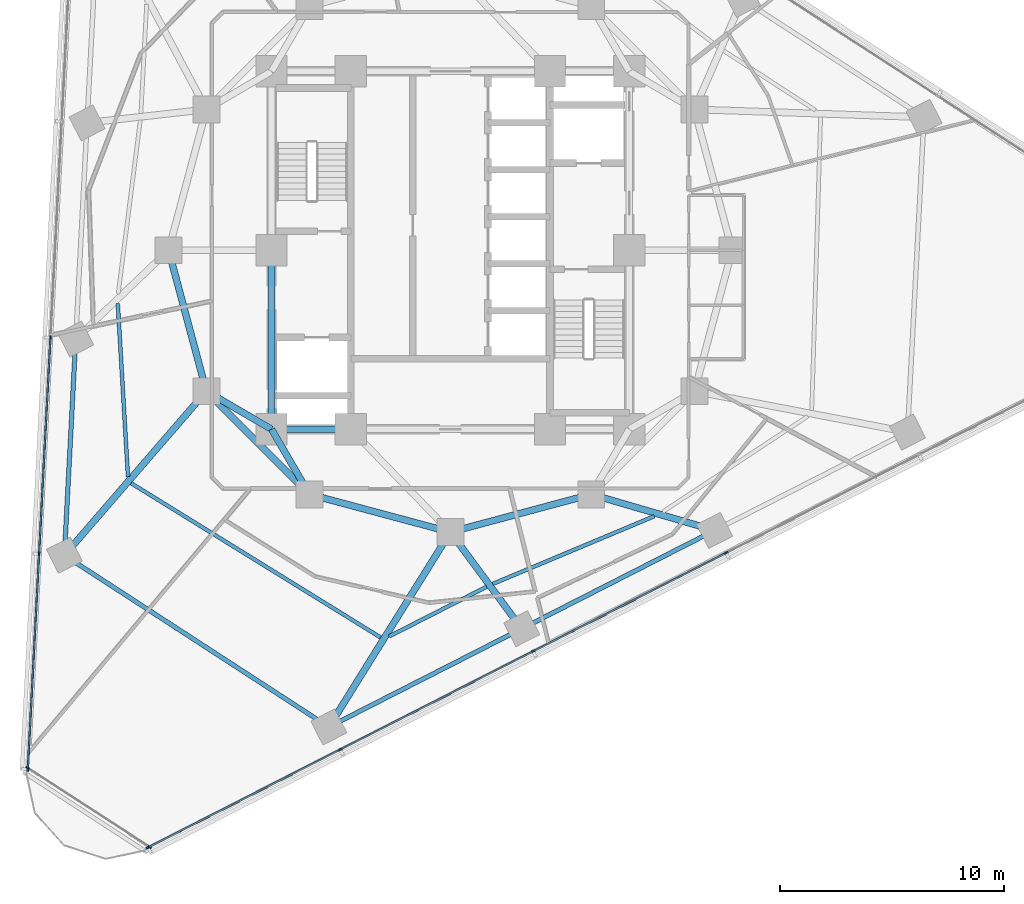
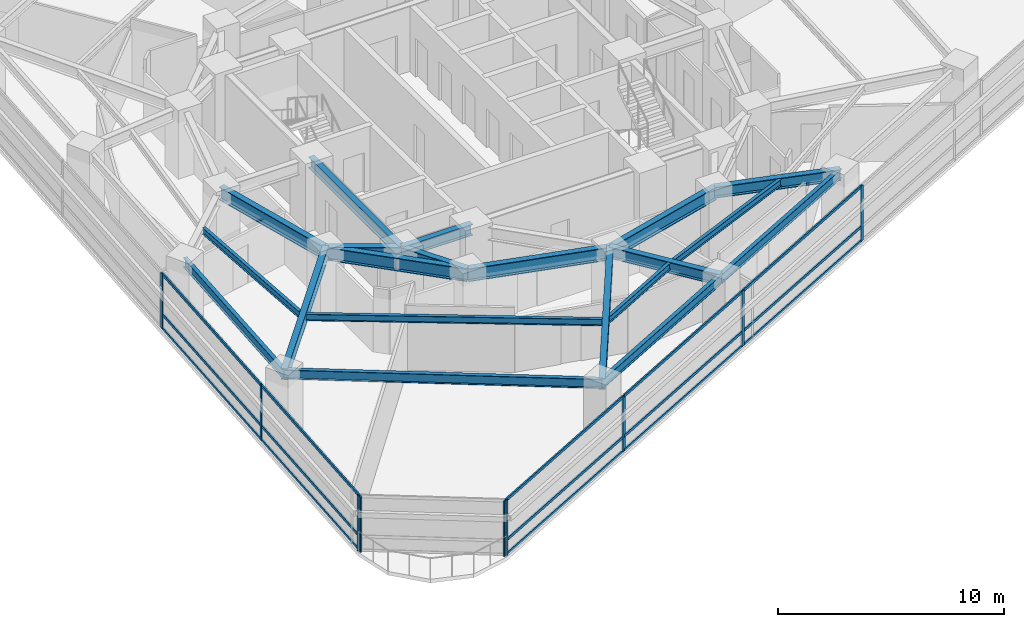
# One storey, part 2 of 14: 24 members, 20 beams, 3 elements without a shape of their own.
"""IFC4 building model written with IfcOpenShell, lengths in metres."""

from ifc_helpers import new_model, si_unit, direction, frame, origin, origin_2d, place, context, subcontext, project, spatial, rectangle, i_section, extrude, material, layer, layer_set, material_profile, profile_set, type_object, element, aggregate, save


model = new_model("IFC4")

# Units and contexts
model_context = context("Model", 3, precision=1e-05, world=origin(), true_north=direction((0.0, 1.0)))
body_context = subcontext(model_context, "Body", "Model", "MODEL_VIEW")
ifc_project = project(units=[si_unit("LENGTHUNIT", "METRE"), si_unit("AREAUNIT", "SQUARE_METRE"), si_unit("VOLUMEUNIT", "CUBIC_METRE"), si_unit("PLANEANGLEUNIT", "RADIAN"), si_unit("MASSUNIT", "GRAM", prefix="KILO")], contexts=[model_context])

# Site, building, storey
site_placement = place(None, origin())
site = spatial("IfcSite", under=ifc_project, at=site_placement, CompositionType="ELEMENT")
building_placement = place(site_placement, origin())
building = spatial("IfcBuilding", under=site, at=building_placement, Name="Terralouvre Media Tower", CompositionType="ELEMENT")
storey_placement = place(building_placement, frame((0.0, 0.0, 119.89990234375)))
storey = spatial("IfcBuildingStorey", under=building, at=storey_placement, Name="L30", CompositionType="ELEMENT", Elevation=119.89990234375)

# Beams
ifc_material_1 = material(Name="Structural steel S355J2", Category="steel")
ifc_material_profile_1 = material_profile(ifc_material_1, i_section(OverallWidth=0.169921875, OverallDepth=0.360107421875, WebThickness=0.008056640625, FlangeThickness=0.0126953125, at=origin_2d()), Name="IPE 360")
ifc_profile_set_1 = profile_set([ifc_material_profile_1], Name="Structural steel S355J2")
beam_type_1 = type_object("IfcBeamType", Name="Composite Floor Joist J-IPE360 (IPE 360)", PredefinedType="JOIST", material=ifc_profile_set_1)
beam_1_placement = place(storey_placement, frame((-14.872314453125, -2.377197265625, 3.320068359375), z_axis=(0.058878824525, -0.998265137137, 0.0), x_axis=(0.998265137137, 0.058878824525, 0.0)))
element("IfcBeam", 1, at=beam_1_placement, inside=storey, type_object=beam_type_1, Name="L30 Framing Beam JT-L30-01", PredefinedType="JOIST", context=body_context, shape_type="SweptSolid", body=[
    extrude(i_section(OverallWidth=0.169921875, OverallDepth=0.360107421875, WebThickness=0.008056640625, FlangeThickness=0.0126953125, at=origin_2d()), origin(), (0.0, 0.0, 1.0), 7.758056640625),
])
beam_2_placement = place(storey_placement, frame((-14.275390625, -10.413330078125, 3.320068359375), z_axis=(0.850512534705, -0.525954777818, 0.0), x_axis=(0.525954777818, 0.850512534705, 0.0)))
element("IfcBeam", 2, at=beam_2_placement, inside=storey, type_object=beam_type_1, Name="L30 Framing Beam JT-L30-02", PredefinedType="JOIST", context=body_context, shape_type="SweptSolid", body=[
    extrude(i_section(OverallWidth=0.169921875, OverallDepth=0.360107421875, WebThickness=0.008056640625, FlangeThickness=0.0126953125, at=origin_2d()), origin(), (0.0, 0.0, 1.0), 13.118896484375),
])
beam_3_placement = place(storey_placement, frame((-2.732666015625, -17.260986328125, 3.320068359375), z_axis=(0.891002879415, 0.453997652939, 0.0), x_axis=(-0.453997652939, 0.891002879415, 0.0)))
element("IfcBeam", 3, at=beam_3_placement, inside=storey, type_object=beam_type_1, Name="L30 Framing Beam JT-L30-03", PredefinedType="JOIST", context=body_context, shape_type="SweptSolid", body=[
    extrude(i_section(OverallWidth=0.169921875, OverallDepth=0.360107421875, WebThickness=0.008056640625, FlangeThickness=0.0126953125, at=origin_2d()), origin(), (0.0, 0.0, 1.0), 4.885009765625),
])
beam_4_placement = place(storey_placement, frame((1.89404296875, -14.916259765625, 3.320068359375), z_axis=(0.922254640504, 0.386582951085, 0.0), x_axis=(-0.386582951085, 0.922254640504, 0.0)))
element("IfcBeam", 4, at=beam_4_placement, inside=storey, type_object=beam_type_1, Name="L30 Framing Beam JT-L30-04", PredefinedType="JOIST", context=body_context, shape_type="SweptSolid", body=[
    extrude(i_section(OverallWidth=0.169921875, OverallDepth=0.360107421875, WebThickness=0.008056640625, FlangeThickness=0.0126953125, at=origin_2d()), origin(), (0.0, 0.0, 1.0), 7.8291015625),
])

# Curtain wall, members
ifc_material_2 = material(Name="Low-iron laminated double glazing with solar-control coating", Category="glass")
ifc_layer_1 = layer(ifc_material_2, 0.1650390625, Name="Production Studio Tower Curtain Wall CW-03")
ifc_layer_set_1 = layer_set([ifc_layer_1], Name="Low-iron laminated double glazing with solar-control coating")
curtain_wall_type_1 = type_object("IfcCurtainWallType", Name="Production Studio Tower Curtain Wall CW-03", PredefinedType="NOTDEFINED", material=ifc_layer_set_1)
curtain_wall_1_placement = place(storey_placement, origin())
curtain_wall_1 = element("IfcCurtainWall", 5, at=curtain_wall_1_placement, inside=storey, type_object=curtain_wall_type_1, Name="L30 Facade Curtain Wall F0", PredefinedType="NOTDEFINED")
ifc_material_3 = material(Name="Anodised extruded aluminium 6063-T6", Category="aluminium")
ifc_material_profile_2 = material_profile(ifc_material_3, rectangle(XDim=0.074951171875, YDim=0.14990234375, at=origin_2d()), Name="ALU 75x150")
ifc_profile_set_2 = profile_set([ifc_material_profile_2], Name="Anodised extruded aluminium 6063-T6")
member_type_1 = type_object("IfcMemberType", Name="Curtain-Wall Horizontal Transom TR-150", PredefinedType="USERDEFINED", material=ifc_profile_set_2)
member_1_placement = place(storey_placement, frame((-13.481689453125, -26.680419921875, 0.03759765625), z_axis=(0.891007557644, 0.453988471462, 0.0), x_axis=(-0.453988471462, 0.891007557644, 0.0)))
member_1 = element("IfcMember", 6, at=member_1_placement, type_object=member_type_1, Name="CW-03 transom 1.1", ObjectType="TRANSOM", PredefinedType="USERDEFINED", context=body_context, shape_type="SweptSolid", body=[
    extrude(rectangle(XDim=0.074951171875, YDim=0.14990234375, at=origin_2d()), origin(), (0.0, 0.0, 1.0), 9.5673828125),
])
member_2_placement = place(storey_placement, frame((-13.481689453125, -26.680419921875, 0.800048828125), z_axis=(0.891007557644, 0.453988471462, 0.0), x_axis=(-0.453988471462, 0.891007557644, 0.0)))
member_2 = element("IfcMember", 7, at=member_2_placement, type_object=member_type_1, Name="CW-03 transom 1.2", ObjectType="TRANSOM", PredefinedType="USERDEFINED", context=body_context, shape_type="SweptSolid", body=[
    extrude(rectangle(XDim=0.074951171875, YDim=0.14990234375, at=origin_2d()), origin(), (0.0, 0.0, 1.0), 9.5673828125),
])
member_3_placement = place(storey_placement, frame((-13.481689453125, -26.680419921875, 2.962646484375), z_axis=(0.891007557644, 0.453988471462, 0.0), x_axis=(-0.453988471462, 0.891007557644, 0.0)))
member_3 = element("IfcMember", 8, at=member_3_placement, type_object=member_type_1, Name="CW-03 transom 1.3", ObjectType="TRANSOM", PredefinedType="USERDEFINED", context=body_context, shape_type="SweptSolid", body=[
    extrude(rectangle(XDim=0.074951171875, YDim=0.14990234375, at=origin_2d()), origin(), (0.0, 0.0, 1.0), 9.5673828125),
])
member_4_placement = place(storey_placement, frame((-4.89013671875, -22.302978515625, 0.03759765625), z_axis=(0.891005548508, 0.453992414615, 0.0), x_axis=(-0.453992414615, 0.891005548508, 0.0)))
member_4 = element("IfcMember", 9, at=member_4_placement, type_object=member_type_1, Name="CW-03 transom 2.1", ObjectType="TRANSOM", PredefinedType="USERDEFINED", context=body_context, shape_type="SweptSolid", body=[
    extrude(rectangle(XDim=0.074951171875, YDim=0.14990234375, at=origin_2d()), origin(), (0.0, 0.0, 1.0), 9.60498046875),
])
member_5_placement = place(storey_placement, frame((-4.89013671875, -22.302978515625, 0.800048828125), z_axis=(0.891005548508, 0.453992414615, 0.0), x_axis=(-0.453992414615, 0.891005548508, 0.0)))
member_5 = element("IfcMember", 10, at=member_5_placement, type_object=member_type_1, Name="CW-03 transom 2.2", ObjectType="TRANSOM", PredefinedType="USERDEFINED", context=body_context, shape_type="SweptSolid", body=[
    extrude(rectangle(XDim=0.074951171875, YDim=0.14990234375, at=origin_2d()), origin(), (0.0, 0.0, 1.0), 9.60498046875),
])
member_6_placement = place(storey_placement, frame((-4.89013671875, -22.302978515625, 2.962646484375), z_axis=(0.891005548508, 0.453992414615, 0.0), x_axis=(-0.453992414615, 0.891005548508, 0.0)))
member_6 = element("IfcMember", 11, at=member_6_placement, type_object=member_type_1, Name="CW-03 transom 2.3", ObjectType="TRANSOM", PredefinedType="USERDEFINED", context=body_context, shape_type="SweptSolid", body=[
    extrude(rectangle(XDim=0.074951171875, YDim=0.14990234375, at=origin_2d()), origin(), (0.0, 0.0, 1.0), 9.60498046875),
])
member_7_placement = place(storey_placement, frame((3.734619140625, -17.908203125, 0.03759765625), z_axis=(0.891005548508, 0.453992414615, 0.0), x_axis=(-0.453992414615, 0.891005548508, 0.0)))
member_7 = element("IfcMember", 12, at=member_7_placement, type_object=member_type_1, Name="CW-03 transom 3.1", ObjectType="TRANSOM", PredefinedType="USERDEFINED", context=body_context, shape_type="SweptSolid", body=[
    extrude(rectangle(XDim=0.074951171875, YDim=0.14990234375, at=origin_2d()), origin(), (0.0, 0.0, 1.0), 9.60498046875),
])
member_8_placement = place(storey_placement, frame((3.734619140625, -17.908203125, 0.800048828125), z_axis=(0.891005548508, 0.453992414615, 0.0), x_axis=(-0.453992414615, 0.891005548508, 0.0)))
member_8 = element("IfcMember", 13, at=member_8_placement, type_object=member_type_1, Name="CW-03 transom 3.2", ObjectType="TRANSOM", PredefinedType="USERDEFINED", context=body_context, shape_type="SweptSolid", body=[
    extrude(rectangle(XDim=0.074951171875, YDim=0.14990234375, at=origin_2d()), origin(), (0.0, 0.0, 1.0), 9.60498046875),
])
member_9_placement = place(storey_placement, frame((3.734619140625, -17.908203125, 2.962646484375), z_axis=(0.891005548508, 0.453992414615, 0.0), x_axis=(-0.453992414615, 0.891005548508, 0.0)))
member_9 = element("IfcMember", 14, at=member_9_placement, type_object=member_type_1, Name="CW-03 transom 3.3", ObjectType="TRANSOM", PredefinedType="USERDEFINED", context=body_context, shape_type="SweptSolid", body=[
    extrude(rectangle(XDim=0.074951171875, YDim=0.14990234375, at=origin_2d()), origin(), (0.0, 0.0, 1.0), 9.60498046875),
])

curtain_wall_2_placement = place(storey_placement, origin())
curtain_wall_2 = element("IfcCurtainWall", 15, at=curtain_wall_2_placement, inside=storey, type_object=curtain_wall_type_1, Name="L30 Facade Curtain Wall F2", PredefinedType="NOTDEFINED")
member_10_placement = place(storey_placement, frame((-17.883056640625, -3.947021484375, 0.03759765625), z_axis=(-0.052336036535, -0.998629530547, 0.0), x_axis=(0.998629530547, -0.052336036535, 0.0)))
member_10 = element("IfcMember", 16, at=member_10_placement, type_object=member_type_1, Name="CW-03 transom 4.1", ObjectType="TRANSOM", PredefinedType="USERDEFINED", context=body_context, shape_type="SweptSolid", body=[
    extrude(rectangle(XDim=0.074951171875, YDim=0.14990234375, at=origin_2d()), origin(), (0.0, 0.0, 1.0), 9.60498046875),
])
member_11_placement = place(storey_placement, frame((-17.883056640625, -3.947021484375, 0.800048828125), z_axis=(-0.052336036535, -0.998629530547, 0.0), x_axis=(0.998629530547, -0.052336036535, 0.0)))
member_11 = element("IfcMember", 17, at=member_11_placement, type_object=member_type_1, Name="CW-03 transom 4.2", ObjectType="TRANSOM", PredefinedType="USERDEFINED", context=body_context, shape_type="SweptSolid", body=[
    extrude(rectangle(XDim=0.074951171875, YDim=0.14990234375, at=origin_2d()), origin(), (0.0, 0.0, 1.0), 9.60498046875),
])
member_12_placement = place(storey_placement, frame((-17.883056640625, -3.947021484375, 2.962646484375), z_axis=(-0.052336036535, -0.998629530547, 0.0), x_axis=(0.998629530547, -0.052336036535, 0.0)))
member_12 = element("IfcMember", 18, at=member_12_placement, type_object=member_type_1, Name="CW-03 transom 4.3", ObjectType="TRANSOM", PredefinedType="USERDEFINED", context=body_context, shape_type="SweptSolid", body=[
    extrude(rectangle(XDim=0.074951171875, YDim=0.14990234375, at=origin_2d()), origin(), (0.0, 0.0, 1.0), 9.60498046875),
])
member_13_placement = place(storey_placement, frame((-18.3896484375, -13.61376953125, 0.03759765625), z_axis=(-0.052336504837, -0.998629506004, 0.0), x_axis=(0.998629506004, -0.052336504837, 0.0)))
member_13 = element("IfcMember", 19, at=member_13_placement, type_object=member_type_1, Name="CW-03 transom 5.1", ObjectType="TRANSOM", PredefinedType="USERDEFINED", context=body_context, shape_type="SweptSolid", body=[
    extrude(rectangle(XDim=0.074951171875, YDim=0.14990234375, at=origin_2d()), origin(), (0.0, 0.0, 1.0), 9.567626953125),
])
member_14_placement = place(storey_placement, frame((-18.3896484375, -13.61376953125, 0.800048828125), z_axis=(-0.052336504837, -0.998629506004, 0.0), x_axis=(0.998629506004, -0.052336504837, 0.0)))
member_14 = element("IfcMember", 20, at=member_14_placement, type_object=member_type_1, Name="CW-03 transom 5.2", ObjectType="TRANSOM", PredefinedType="USERDEFINED", context=body_context, shape_type="SweptSolid", body=[
    extrude(rectangle(XDim=0.074951171875, YDim=0.14990234375, at=origin_2d()), origin(), (0.0, 0.0, 1.0), 9.567626953125),
])
member_15_placement = place(storey_placement, frame((-18.3896484375, -13.61376953125, 2.962646484375), z_axis=(-0.052336504837, -0.998629506004, 0.0), x_axis=(0.998629506004, -0.052336504837, 0.0)))
member_15 = element("IfcMember", 21, at=member_15_placement, type_object=member_type_1, Name="CW-03 transom 5.3", ObjectType="TRANSOM", PredefinedType="USERDEFINED", context=body_context, shape_type="SweptSolid", body=[
    extrude(rectangle(XDim=0.074951171875, YDim=0.14990234375, at=origin_2d()), origin(), (0.0, 0.0, 1.0), 9.567626953125),
])

# Member
ifc_material_4 = material(Name="Anodised extruded aluminium 6063-T6", Category="aluminium")
ifc_material_profile_3 = material_profile(ifc_material_4, rectangle(XDim=0.074951171875, YDim=0.179931640625, at=origin_2d()), Name="ALU 75x180")
ifc_profile_set_3 = profile_set([ifc_material_profile_3], Name="Anodised extruded aluminium 6063-T6")
member_type_2 = type_object("IfcMemberType", Name="Curtain-Wall Vertical Mullion ML-180", PredefinedType="MULLION", material=ifc_profile_set_3)
member_16_placement = place(storey_placement, frame((-13.51513671875, -26.697509765625, 0.0), z_axis=(0.0, 0.0, 1.0), x_axis=(-0.4539905449, 0.891006501178, 0.0)))
member_16 = element("IfcMember", 22, at=member_16_placement, type_object=member_type_2, Name="CW-03 mullion 1", PredefinedType="MULLION", context=body_context, shape_type="SweptSolid", body=[
    extrude(rectangle(XDim=0.074951171875, YDim=0.179931640625, at=origin_2d()), origin(), (0.0, 0.0, 1.0), 3.0),
])

member_17_placement = place(storey_placement, frame((-4.923583984375, -22.31982421875, 0.0), z_axis=(0.0, 0.0, 1.0), x_axis=(-0.4539905449, 0.891006501178, 0.0)))
member_17 = element("IfcMember", 23, at=member_17_placement, type_object=member_type_2, Name="CW-03 mullion 2", PredefinedType="MULLION", context=body_context, shape_type="SweptSolid", body=[
    extrude(rectangle(XDim=0.074951171875, YDim=0.179931640625, at=origin_2d()), origin(), (0.0, 0.0, 1.0), 3.0),
])

member_18_placement = place(storey_placement, frame((3.701416015625, -17.92529296875, 0.0), z_axis=(0.0, 0.0, 1.0), x_axis=(-0.4539905449, 0.891006501178, 0.0)))
member_18 = element("IfcMember", 24, at=member_18_placement, type_object=member_type_2, Name="CW-03 mullion 3", PredefinedType="MULLION", context=body_context, shape_type="SweptSolid", body=[
    extrude(rectangle(XDim=0.074951171875, YDim=0.179931640625, at=origin_2d()), origin(), (0.0, 0.0, 1.0), 3.0),
])

member_19_placement = place(storey_placement, frame((12.326171875, -13.530517578125, 0.0), z_axis=(0.0, 0.0, 1.0), x_axis=(-0.4539905449, 0.891006501178, 0.0)))
member_19 = element("IfcMember", 25, at=member_19_placement, type_object=member_type_2, Name="CW-03 mullion 4", PredefinedType="MULLION", context=body_context, shape_type="SweptSolid", body=[
    extrude(rectangle(XDim=0.074951171875, YDim=0.179931640625, at=origin_2d()), origin(), (0.0, 0.0, 1.0), 3.0),
])

aggregate(curtain_wall_1, [member_16, member_17, member_18, member_19, member_1, member_2, member_3, member_4, member_5, member_6, member_7, member_8, member_9])

member_20_placement = place(storey_placement, frame((-17.881103515625, -3.909423828125, 0.0), z_axis=(0.0, 0.0, 1.0), x_axis=(0.998629535089, -0.052335949864, 0.0)))
member_20 = element("IfcMember", 26, at=member_20_placement, type_object=member_type_2, Name="CW-03 mullion 4", PredefinedType="MULLION", context=body_context, shape_type="SweptSolid", body=[
    extrude(rectangle(XDim=0.074951171875, YDim=0.179931640625, at=origin_2d()), origin(), (0.0, 0.0, 1.0), 3.0),
])

member_21_placement = place(storey_placement, frame((-18.3876953125, -13.576171875, 0.0), z_axis=(0.0, 0.0, 1.0), x_axis=(0.998629535089, -0.052335949864, 0.0)))
member_21 = element("IfcMember", 27, at=member_21_placement, type_object=member_type_2, Name="CW-03 mullion 5", PredefinedType="MULLION", context=body_context, shape_type="SweptSolid", body=[
    extrude(rectangle(XDim=0.074951171875, YDim=0.179931640625, at=origin_2d()), origin(), (0.0, 0.0, 1.0), 3.0),
])

member_22_placement = place(storey_placement, frame((-18.892333984375, -23.20556640625, 0.0), z_axis=(0.0, 0.0, 1.0), x_axis=(0.998629535089, -0.052335949864, 0.0)))
member_22 = element("IfcMember", 28, at=member_22_placement, type_object=member_type_2, Name="CW-03 mullion 6", PredefinedType="MULLION", context=body_context, shape_type="SweptSolid", body=[
    extrude(rectangle(XDim=0.074951171875, YDim=0.179931640625, at=origin_2d()), origin(), (0.0, 0.0, 1.0), 3.0),
])

aggregate(curtain_wall_2, [member_20, member_21, member_22, member_10, member_11, member_12, member_13, member_14, member_15])

# Curtain wall, members
ifc_material_5 = material(Name="Low-iron laminated double glazing with solar-control coating", Category="glass")
ifc_layer_2 = layer(ifc_material_5, 0.1650390625, Name="Rounded Wind-Corner Curved Glazing CW-04")
ifc_layer_set_2 = layer_set([ifc_layer_2], Name="Low-iron laminated double glazing with solar-control coating")
curtain_wall_type_2 = type_object("IfcCurtainWallType", Name="Rounded Wind-Corner Curved Glazing CW-04", PredefinedType="NOTDEFINED", material=ifc_layer_set_2)
curtain_wall_3_placement = place(storey_placement, origin())
curtain_wall_3 = element("IfcCurtainWall", 29, at=curtain_wall_3_placement, inside=storey, type_object=curtain_wall_type_2, Name="L30 Rounded Wind-Corner Curtain Wall C0", PredefinedType="NOTDEFINED")
member_23_placement = place(storey_placement, frame((-18.90625, -23.1396484375, 0.0), z_axis=(0.0, 0.0, 1.0), x_axis=(0.544639308152, 0.838670390568, 0.0)))
member_23 = element("IfcMember", 30, at=member_23_placement, type_object=member_type_2, Name="CW-04 mullion 1", PredefinedType="MULLION", context=body_context, shape_type="SweptSolid", body=[
    extrude(rectangle(XDim=0.074951171875, YDim=0.179931640625, at=origin_2d()), origin(), (0.0, 0.0, 1.0), 3.0),
])
member_24_placement = place(storey_placement, frame((-13.44921875, -26.68359375, 0.0), z_axis=(0.0, 0.0, 1.0), x_axis=(0.544639308152, 0.838670390568, 0.0)))
member_24 = element("IfcMember", 31, at=member_24_placement, type_object=member_type_2, Name="CW-04 mullion 2", PredefinedType="MULLION", context=body_context, shape_type="SweptSolid", body=[
    extrude(rectangle(XDim=0.074951171875, YDim=0.179931640625, at=origin_2d()), origin(), (0.0, 0.0, 1.0), 3.0),
])
aggregate(curtain_wall_3, [member_23, member_24])

# Beams
ifc_material_6 = material(Name="Structural steel S355J2", Category="steel")
ifc_material_profile_4 = material_profile(ifc_material_6, i_section(OverallWidth=0.199951171875, OverallDepth=0.5, WebThickness=0.01025390625, FlangeThickness=0.01611328125, at=origin_2d()), Name="IPE 500")
ifc_profile_set_4 = profile_set([ifc_material_profile_4], Name="Structural steel S355J2")
beam_type_2 = type_object("IfcBeamType", Name="Perimeter Spandrel Beam SPB-500 (IPE 500)", PredefinedType="SPANDREL", material=ifc_profile_set_4)
beam_5_placement = place(storey_placement, frame((-16.75244140625, -3.96875, 3.25), z_axis=(-0.052333792648, -0.998629648141, 0.0), x_axis=(0.998629648141, -0.052333792648, 0.0)))
element("IfcBeam", 32, at=beam_5_placement, inside=storey, type_object=beam_type_2, Name="L30 Framing Beam BM-L30-PR01", PredefinedType="SPANDREL", context=body_context, shape_type="SweptSolid", body=[
    extrude(i_section(OverallWidth=0.199951171875, OverallDepth=0.5, WebThickness=0.01025390625, FlangeThickness=0.01611328125, at=origin_2d()), origin(), (0.0, 0.0, 1.0), 9.679931640625),
])
beam_6_placement = place(storey_placement, frame((-17.259033203125, -13.635498046875, 3.25), z_axis=(0.838675019369, -0.544632180363, 0.0), x_axis=(0.544632180363, 0.838675019369, 0.0)))
element("IfcBeam", 33, at=beam_6_placement, inside=storey, type_object=beam_type_2, Name="L30 Framing Beam BM-L30-PR02", PredefinedType="SPANDREL", context=body_context, shape_type="SweptSolid", body=[
    extrude(i_section(OverallWidth=0.199951171875, OverallDepth=0.5, WebThickness=0.01025390625, FlangeThickness=0.01611328125, at=origin_2d()), origin(), (0.0, 0.0, 1.0), 14.0966796875),
])
beam_7_placement = place(storey_placement, frame((-5.4365234375, -21.31298828125, 3.25), z_axis=(0.891006580855, 0.453990388524, 0.0), x_axis=(-0.453990388524, 0.891006580855, 0.0)))
element("IfcBeam", 34, at=beam_7_placement, inside=storey, type_object=beam_type_2, Name="L30 Framing Beam BM-L30-PR03", PredefinedType="SPANDREL", context=body_context, shape_type="SweptSolid", body=[
    extrude(i_section(OverallWidth=0.199951171875, OverallDepth=0.5, WebThickness=0.01025390625, FlangeThickness=0.01611328125, at=origin_2d()), origin(), (0.0, 0.0, 1.0), 9.6796875),
])
beam_8_placement = place(storey_placement, frame((3.188232421875, -16.91845703125, 3.25), z_axis=(0.891001576959, 0.454000209093, 0.0), x_axis=(-0.454000209093, 0.891001576959, 0.0)))
element("IfcBeam", 35, at=beam_8_placement, inside=storey, type_object=beam_type_2, Name="L30 Framing Beam BM-L30-PR04", PredefinedType="SPANDREL", context=body_context, shape_type="SweptSolid", body=[
    extrude(i_section(OverallWidth=0.199951171875, OverallDepth=0.5, WebThickness=0.01025390625, FlangeThickness=0.01611328125, at=origin_2d()), origin(), (0.0, 0.0, 1.0), 9.68017578125),
])
ifc_material_7 = material(Name="Structural steel S460M", Category="steel")
ifc_material_profile_5 = material_profile(ifc_material_7, i_section(OverallWidth=0.300048828125, OverallDepth=0.60009765625, WebThickness=0.015380859375, FlangeThickness=0.030029296875, at=origin_2d()), Name="HEB 600")
ifc_profile_set_5 = profile_set([ifc_material_profile_5], Name="Structural steel S460M")
beam_type_3 = type_object("IfcBeamType", Name="Primary Floor Girder B-HEB600 (HEB 600)", PredefinedType="BEAM", material=ifc_profile_set_5)
beam_9_placement = place(storey_placement, frame((-8.0, -8.0, 3.2001953125), z_axis=(1.0, 0.0, 0.0), x_axis=(0.0, 1.0, 0.0)))
element("IfcBeam", 36, at=beam_9_placement, inside=storey, type_object=beam_type_3, Name="L30 Framing Beam BM-L30-CPR01", PredefinedType="BEAM", context=body_context, shape_type="SweptSolid", body=[
    extrude(i_section(OverallWidth=0.300048828125, OverallDepth=0.60009765625, WebThickness=0.015380859375, FlangeThickness=0.030029296875, at=origin_2d()), origin(), (0.0, 0.0, 1.0), 3.550048828125),
])
beam_10_placement = place(storey_placement, frame((-8.0, 0.0, 3.2001953125), z_axis=(0.0, -1.0, 0.0), x_axis=(1.0, 0.0, 0.0)))
element("IfcBeam", 37, at=beam_10_placement, inside=storey, type_object=beam_type_3, Name="L30 Framing Beam BM-L30-CPR10", PredefinedType="BEAM", context=body_context, shape_type="SweptSolid", body=[
    extrude(i_section(OverallWidth=0.300048828125, OverallDepth=0.60009765625, WebThickness=0.015380859375, FlangeThickness=0.030029296875, at=origin_2d()), origin(), (0.0, 0.0, 1.0), 8.0),
])
beam_11_placement = place(storey_placement, frame((-10.911865234375, -6.300048828125, 3.2001953125), z_axis=(-0.654328588351, -0.756210353319, 0.0), x_axis=(0.756210353319, -0.654328588351, 0.0)))
element("IfcBeam", 38, at=beam_11_placement, inside=storey, type_object=beam_type_3, Name="L30 Framing Beam BM-L30-RD02", PredefinedType="BEAM", context=body_context, shape_type="SweptSolid", body=[
    extrude(i_section(OverallWidth=0.300048828125, OverallDepth=0.60009765625, WebThickness=0.015380859375, FlangeThickness=0.030029296875, at=origin_2d()), origin(), (0.0, 0.0, 1.0), 9.7001953125),
])
beam_12_placement = place(storey_placement, frame((0.0, -12.60009765625, 3.2001953125), z_axis=(-0.529366283505, -0.848393386282, 0.0), x_axis=(0.848393386282, -0.529366283505, 0.0)))
element("IfcBeam", 39, at=beam_12_placement, inside=storey, type_object=beam_type_3, Name="L30 Framing Beam BM-L30-RD03", PredefinedType="BEAM", context=body_context, shape_type="SweptSolid", body=[
    extrude(i_section(OverallWidth=0.300048828125, OverallDepth=0.60009765625, WebThickness=0.015380859375, FlangeThickness=0.030029296875, at=origin_2d()), origin(), (0.0, 0.0, 1.0), 10.269775390625),
])
beam_13_placement = place(storey_placement, frame((0.0, -12.60009765625, 3.2001953125), z_axis=(0.593957444229, -0.804496460182, 0.0), x_axis=(0.804496460182, 0.593957444229, 0.0)))
element("IfcBeam", 40, at=beam_13_placement, inside=storey, type_object=beam_type_3, Name="L30 Framing Beam BM-L30-RD04", PredefinedType="BEAM", context=body_context, shape_type="SweptSolid", body=[
    extrude(i_section(OverallWidth=0.300048828125, OverallDepth=0.60009765625, WebThickness=0.015380859375, FlangeThickness=0.030029296875, at=origin_2d()), origin(), (0.0, 0.0, 1.0), 5.36767578125),
])
beam_14_placement = place(storey_placement, frame((6.300048828125, -10.911865234375, 3.2001953125), z_axis=(0.959821765834, -0.280610366577, 0.0), x_axis=(0.280610366577, 0.959821765834, 0.0)))
element("IfcBeam", 41, at=beam_14_placement, inside=storey, type_object=beam_type_3, Name="L30 Framing Beam BM-L30-RD05", PredefinedType="BEAM", context=body_context, shape_type="SweptSolid", body=[
    extrude(i_section(OverallWidth=0.300048828125, OverallDepth=0.60009765625, WebThickness=0.015380859375, FlangeThickness=0.030029296875, at=origin_2d()), origin(), (0.0, 0.0, 1.0), 5.743896484375),
])
ifc_material_8 = material(Name="Structural steel S460M", Category="steel")
ifc_material_profile_6 = material_profile(ifc_material_8, i_section(OverallWidth=0.300048828125, OverallDepth=0.699951171875, WebThickness=0.01708984375, FlangeThickness=0.031982421875, at=origin_2d()), Name="HEB 700")
ifc_profile_set_6 = profile_set([ifc_material_profile_6], Name="Structural steel S460M")
beam_type_4 = type_object("IfcBeamType", Name="Primary Floor Girder B-HEB700 (HEB 700)", PredefinedType="BEAM", material=ifc_profile_set_6)
beam_15_placement = place(storey_placement, frame((-10.911865234375, -6.300048828125, 3.150146484375), z_axis=(0.707106781187, -0.707106781187, 0.0), x_axis=(0.707106781187, 0.707106781187, 0.0)))
element("IfcBeam", 42, at=beam_15_placement, inside=storey, type_object=beam_type_4, Name="L30 Framing Beam BM-L30-MR01", PredefinedType="BEAM", context=body_context, shape_type="SweptSolid", body=[
    extrude(i_section(OverallWidth=0.300048828125, OverallDepth=0.699951171875, WebThickness=0.01708984375, FlangeThickness=0.031982421875, at=origin_2d()), origin(), (0.0, 0.0, 1.0), 6.52197265625),
])
for number, where, z_axis, x_axis, name in (
    (43, (-6.300048828125, -10.911865234375, 3.150146484375), (0.965920481897, -0.258838989821, 0.0), (0.258838989821, 0.965920481897, 0.0), "L30 Framing Beam BM-L30-MR02"),
    (44, (0.0, -12.60009765625, 3.150146484375), (0.965920481897, 0.258838989821, 0.0), (-0.258838989821, 0.965920481897, 0.0), "L30 Framing Beam BM-L30-MR03"),
    (45, (-12.60009765625, 0.0, 3.150146484375), (0.258838989821, -0.965920481897, 0.0), (0.965920481897, 0.258838989821, 0.0), "L30 Framing Beam BM-L30-MR12"),
):
    element("IfcBeam", number, at=place(storey_placement, frame(where, z_axis=z_axis, x_axis=x_axis)), inside=storey, type_object=beam_type_4, Name=name, PredefinedType="BEAM", context=body_context, shape_type="SweptSolid", body=[
        extrude(i_section(OverallWidth=0.300048828125, OverallDepth=0.699951171875, WebThickness=0.01708984375, FlangeThickness=0.031982421875, at=origin_2d()), origin(), (0.0, 0.0, 1.0), 6.522216796875),
    ])
for number, where, z_axis, x_axis, name in (
    (46, (-8.0, -8.0, 3.150146484375), (-0.863602894532, 0.504172629717, 0.0), (-0.504172629717, -0.863602894532, 0.0), "L30 Framing Beam BM-L30-CM01"),
    (47, (-8.0, -8.0, 3.150146484375), (0.504172629717, -0.863602894532, 0.0), (0.863602894532, 0.504172629717, 0.0), "L30 Framing Beam BM-L30-CM02"),
):
    element("IfcBeam", number, at=place(storey_placement, frame(where, z_axis=z_axis, x_axis=x_axis)), inside=storey, type_object=beam_type_4, Name=name, PredefinedType="BEAM", context=body_context, shape_type="SweptSolid", body=[
        extrude(i_section(OverallWidth=0.300048828125, OverallDepth=0.699951171875, WebThickness=0.01708984375, FlangeThickness=0.031982421875, at=origin_2d()), origin(), (0.0, 0.0, 1.0), 3.371826171875),
    ])

save(model, "model.ifc")
